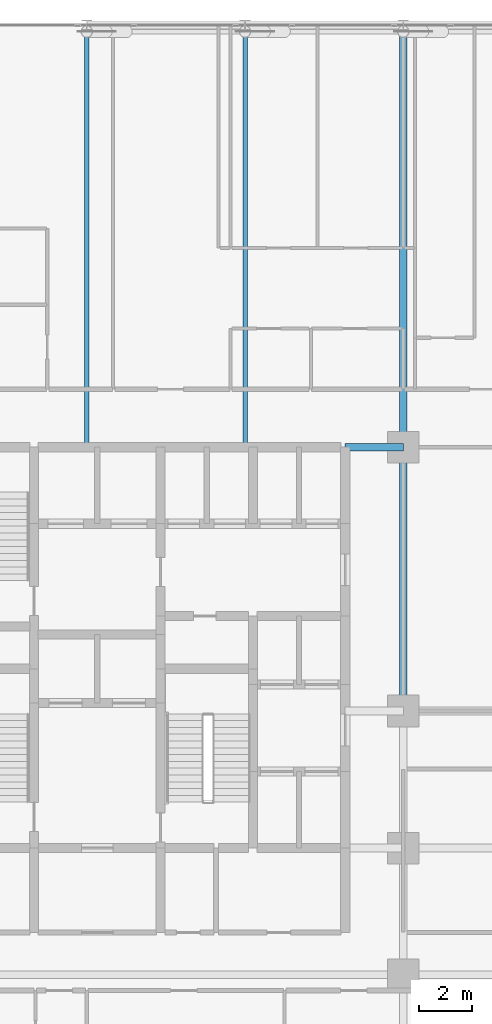
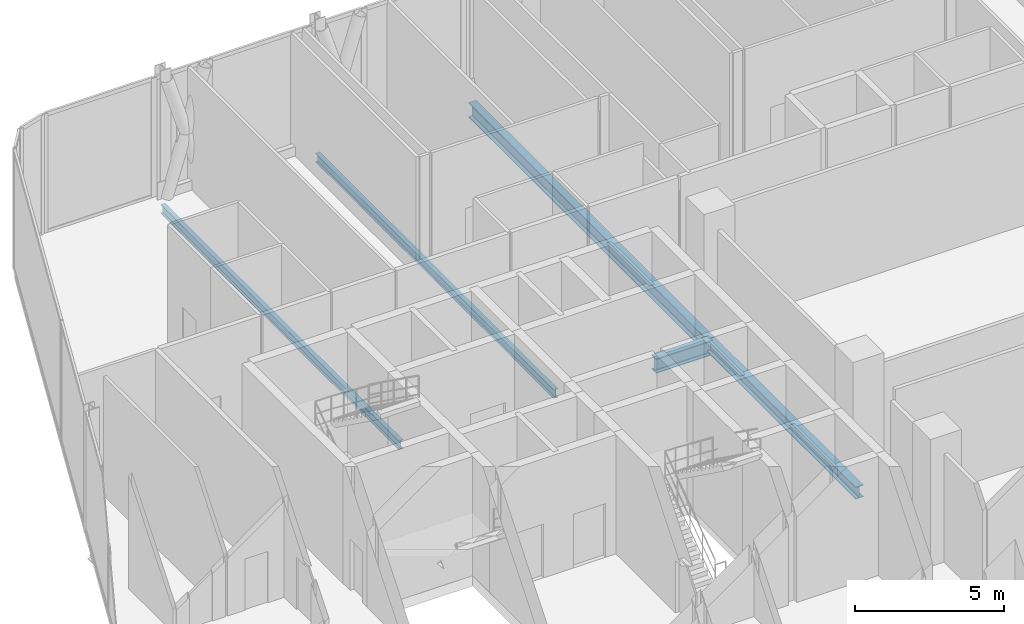
# One storey, part 13 of 36: 5 beams.
"""IFC4 building model written with IfcOpenShell, lengths in metres."""

from ifc_helpers import new_model, si_unit, direction, frame, origin, origin_2d, place, context, subcontext, project, spatial, i_section, extrude, material, material_profile, profile_set, type_object, element, save


model = new_model("IFC4")

# Units and contexts
model_context = context("Model", 3, precision=1e-05, world=origin(), true_north=direction((0.0, 1.0)))
body_context = subcontext(model_context, "Body", "Model", "MODEL_VIEW")
ifc_project = project(units=[si_unit("LENGTHUNIT", "METRE"), si_unit("AREAUNIT", "SQUARE_METRE"), si_unit("VOLUMEUNIT", "CUBIC_METRE"), si_unit("PLANEANGLEUNIT", "RADIAN"), si_unit("MASSUNIT", "GRAM", prefix="KILO")], contexts=[model_context])

# Site, building, storey
site_placement = place(None, origin())
site = spatial("IfcSite", under=ifc_project, at=site_placement, CompositionType="ELEMENT")
building_placement = place(site_placement, origin())
building = spatial("IfcBuilding", under=site, at=building_placement, Name="Keshet Zoharim Tower", CompositionType="ELEMENT")
storey_placement = place(building_placement, frame((0.0, 0.0, 81.199951171875)))
storey = spatial("IfcBuildingStorey", under=building, at=storey_placement, Name="L19", CompositionType="ELEMENT", Elevation=81.199951171875)

# Beams
ifc_material = material(Name="Steel S355", Category="steel")
ifc_material_profile_1 = material_profile(ifc_material, i_section(OverallWidth=0.300048828125, OverallDepth=0.60009765625, WebThickness=0.015380859375, FlangeThickness=0.030029296875, FilletRadius=0.027099609375, at=origin_2d()), Name="HEB600")
ifc_profile_set_1 = profile_set([ifc_material_profile_1], Name="Steel S355")
beam_type_1 = type_object("IfcBeamType", Name="BM-CLK-HB600", PredefinedType="BEAM", material=ifc_profile_set_1)
beam_1_placement = place(storey_placement, frame((30.800048828125, 37.89990234375, -0.719970703125), z_axis=(1.0, 0.0, 0.0), x_axis=(0.0, 1.0, 0.0)))
element("IfcBeam", 1, at=beam_1_placement, inside=storey, type_object=beam_type_1, Name="L19 Core Wall Link Girder 03", PredefinedType="BEAM", context=body_context, shape_type="SweptSolid", body=[
    extrude(i_section(OverallWidth=0.300048828125, OverallDepth=0.60009765625, WebThickness=0.015380859375, FlangeThickness=0.030029296875, FilletRadius=0.027099609375, at=origin_2d()), origin(), (0.0, 0.0, 1.0), 2.199951171875),
])
ifc_material_profile_2 = material_profile(ifc_material, i_section(OverallWidth=0.169921875, OverallDepth=0.360107421875, WebThickness=0.008056640625, FlangeThickness=0.0126953125, FilletRadius=0.01806640625, at=origin_2d()), Name="IPE360")
ifc_profile_set_2 = profile_set([ifc_material_profile_2], Name="Steel S355")
beam_type_2 = type_object("IfcBeamType", Name="BM-JST-IP360", PredefinedType="JOIST", material=ifc_profile_set_2)
for number, where, z_axis, x_axis, name in (
    (2, (21.0, 37.89990234375, -0.599853515625), (0.0, 1.0, 0.0), (-1.0, 0.0, 0.0), "L19 Secondary Floor Joist J-001"),
    (3, (27.0, 37.89990234375, -0.599853515625), (0.0, 1.0, 0.0), (-1.0, 0.0, 0.0), "L19 Secondary Floor Joist J-002"),
):
    element("IfcBeam", number, at=place(storey_placement, frame(where, z_axis=z_axis, x_axis=x_axis)), inside=storey, type_object=beam_type_2, Name=name, PredefinedType="JOIST", context=body_context, shape_type="SweptSolid", body=[
        extrude(i_section(OverallWidth=0.169921875, OverallDepth=0.360107421875, WebThickness=0.008056640625, FlangeThickness=0.0126953125, FilletRadius=0.01806640625, at=origin_2d()), origin(), (0.0, 0.0, 1.0), 16.0),
    ])
ifc_material_profile_3 = material_profile(ifc_material, i_section(OverallWidth=0.300048828125, OverallDepth=0.60009765625, WebThickness=0.015380859375, FlangeThickness=0.030029296875, FilletRadius=0.027099609375, at=origin_2d()), Name="HEB600")
ifc_profile_set_3 = profile_set([ifc_material_profile_3], Name="Steel S355")
beam_type_3 = type_object("IfcBeamType", Name="BM-LNG-HB600", PredefinedType="BEAM", material=ifc_profile_set_3)
beam_2_placement = place(storey_placement, frame((33.0, 37.89990234375, -0.719970703125), z_axis=(0.0, 1.0, 0.0), x_axis=(-1.0, 0.0, 0.0)))
element("IfcBeam", 4, at=beam_2_placement, inside=storey, type_object=beam_type_3, Name="L19 Primary Girder Y-011", PredefinedType="BEAM", context=body_context, shape_type="SweptSolid", body=[
    extrude(i_section(OverallWidth=0.300048828125, OverallDepth=0.60009765625, WebThickness=0.015380859375, FlangeThickness=0.030029296875, FilletRadius=0.027099609375, at=origin_2d()), origin(), (0.0, 0.0, 1.0), 16.0),
])
ifc_material_profile_4 = material_profile(ifc_material, i_section(OverallWidth=0.300048828125, OverallDepth=0.5, WebThickness=0.014404296875, FlangeThickness=0.028076171875, FilletRadius=0.027099609375, at=origin_2d()), Name="HEB500")
ifc_profile_set_4 = profile_set([ifc_material_profile_4], Name="Steel S355")
beam_type_4 = type_object("IfcBeamType", Name="BM-MED-HB500", PredefinedType="BEAM", material=ifc_profile_set_4)
beam_3_placement = place(storey_placement, frame((33.0, 27.89990234375, -0.669921875), z_axis=(0.0, 1.0, 0.0), x_axis=(-1.0, 0.0, 0.0)))
element("IfcBeam", 5, at=beam_3_placement, inside=storey, type_object=beam_type_4, Name="L19 Primary Girder Y-010", PredefinedType="BEAM", context=body_context, shape_type="SweptSolid", body=[
    extrude(i_section(OverallWidth=0.300048828125, OverallDepth=0.5, WebThickness=0.014404296875, FlangeThickness=0.028076171875, FilletRadius=0.027099609375, at=origin_2d()), origin(), (0.0, 0.0, 1.0), 10.0),
])

save(model, "model.ifc")
